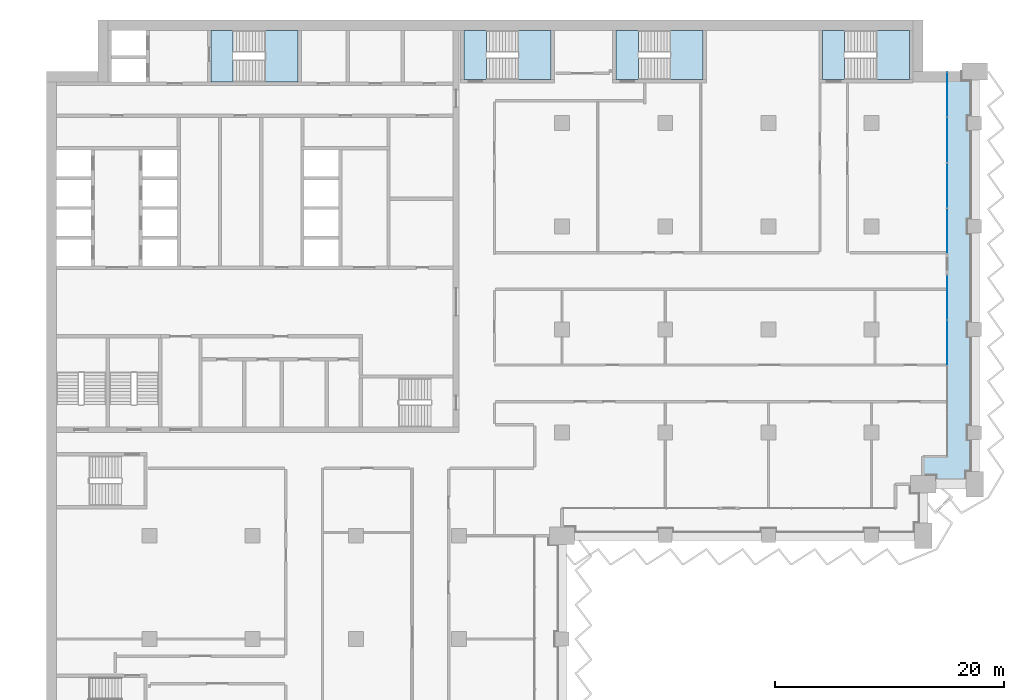
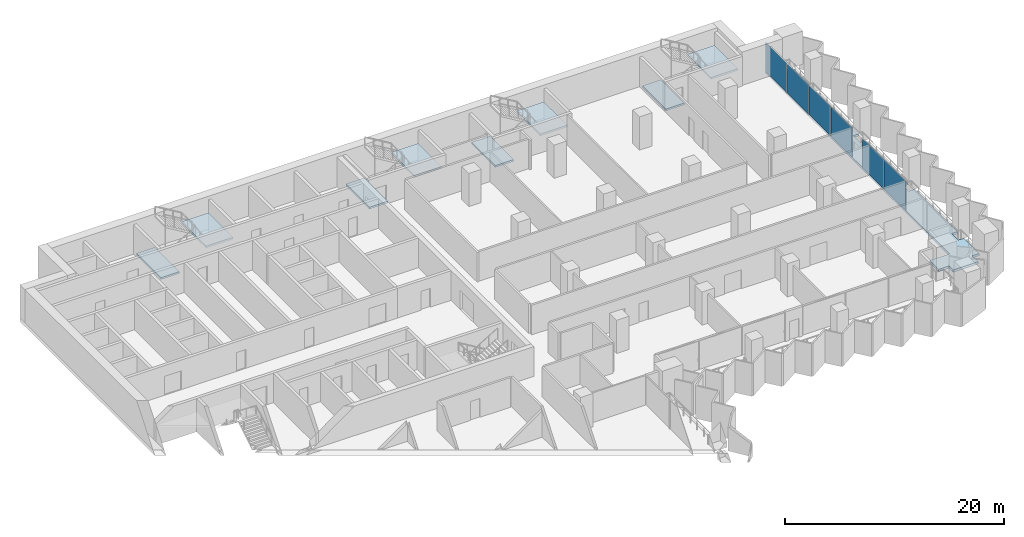
# One storey, part 8 of 23: 9 slabs, 6 plates, 6 elements without a shape of their own.
"""IFC4 building model written with IfcOpenShell, lengths in metres."""

from ifc_helpers import new_model, si_unit, direction, frame, origin, origin_2d, place, context, subcontext, project, spatial, polyline, rectangle, outline, extrude, material, layer, layer_set, type_object, element, aggregate, save


model = new_model("IFC4")

# Units and contexts
model_context = context("Model", 3, precision=1e-05, world=origin(), true_north=direction((0.0, 1.0)))
body_context = subcontext(model_context, "Body", "Model", "MODEL_VIEW")
ifc_project = project(units=[si_unit("LENGTHUNIT", "METRE"), si_unit("AREAUNIT", "SQUARE_METRE"), si_unit("VOLUMEUNIT", "CUBIC_METRE"), si_unit("PLANEANGLEUNIT", "RADIAN"), si_unit("MASSUNIT", "GRAM", prefix="KILO")], contexts=[model_context])

# Site, building, storey
site_placement = place(None, origin())
site = spatial("IfcSite", under=ifc_project, at=site_placement, CompositionType="ELEMENT")
building_placement = place(site_placement, origin())
building = spatial("IfcBuilding", under=site, at=building_placement, Name="Hunhe Ridgeline Campus", CompositionType="ELEMENT")
storey_placement = place(building_placement, frame((0.0, 0.0, 99.60009765625)))
storey = spatial("IfcBuildingStorey", under=building, at=storey_placement, Name="L24", CompositionType="ELEMENT", Elevation=99.60009765625)

# Curtain wall, plates
ifc_material_1 = material(Name="Aluminium 6063", Category="aluminium")
curtain_wall_type = type_object("IfcCurtainWallType", Name="Curtain wall CW-1", PredefinedType="NOTDEFINED", material=ifc_material_1)
curtain_wall_1_placement = place(storey_placement, origin())
curtain_wall_1 = element("IfcCurtainWall", 1, at=curtain_wall_1_placement, inside=storey, type_object=curtain_wall_type, Name="Curtain wall 14", PredefinedType="NOTDEFINED")
ifc_material_2 = material(Name="Low-e laminated glass", Category="glass")
ifc_layer_1 = layer(ifc_material_2, 0.028076171875)
ifc_layer_set_1 = layer_set([ifc_layer_1], Name="Curtain wall glass panel 28 low-e laminated")
plate_type = type_object("IfcPlateType", Name="Curtain wall glass panel 28 low-e laminated", PredefinedType="CURTAIN_PANEL", material=ifc_layer_set_1)
plate_1_placement = place(storey_placement, frame((78.59912109375, 70.838134765625, 0.0), z_axis=(0.0, 0.0, 1.0), x_axis=(0.0, 1.0, 0.0)))
plate_1 = element("IfcPlate", 2, at=plate_1_placement, type_object=plate_type, Name="CW-1 panel 3", PredefinedType="CURTAIN_PANEL", context=body_context, shape_type="SweptSolid", body=[
    extrude(rectangle(XDim=3.914794921875, YDim=0.028076171875, at=origin_2d()), origin(), (0.0, 0.0, 1.0), 3.239990234375),
])
plate_2_placement = place(storey_placement, frame((78.59912109375, 74.798095703125, 0.0), z_axis=(0.0, 0.0, 1.0), x_axis=(0.0, 1.0, 0.0)))
plate_2 = element("IfcPlate", 3, at=plate_2_placement, type_object=plate_type, Name="CW-1 panel 4", PredefinedType="CURTAIN_PANEL", context=body_context, shape_type="SweptSolid", body=[
    extrude(rectangle(XDim=3.884765625, YDim=0.028076171875, at=origin_2d()), origin(), (0.0, 0.0, 1.0), 3.239990234375),
])
aggregate(curtain_wall_1, [plate_1, plate_2])

curtain_wall_2_placement = place(storey_placement, origin())
curtain_wall_2 = element("IfcCurtainWall", 4, at=curtain_wall_2_placement, inside=storey, type_object=curtain_wall_type, Name="Curtain wall 15", PredefinedType="NOTDEFINED")
plate_3_placement = place(storey_placement, frame((78.59912109375, 80.60302734375, 0.0), z_axis=(0.0, 0.0, 1.0), x_axis=(0.0, 1.0, 0.0)))
plate_3 = element("IfcPlate", 5, at=plate_3_placement, type_object=plate_type, Name="CW-1 panel 1", PredefinedType="CURTAIN_PANEL", context=body_context, shape_type="SweptSolid", body=[
    extrude(rectangle(XDim=3.884765625, YDim=0.028076171875, at=origin_2d()), origin(), (0.0, 0.0, 1.0), 3.239990234375),
])
plate_4_placement = place(storey_placement, frame((78.59912109375, 84.562744140625, 0.0), z_axis=(0.0, 0.0, 1.0), x_axis=(0.0, 1.0, 0.0)))
plate_4 = element("IfcPlate", 6, at=plate_4_placement, type_object=plate_type, Name="CW-1 panel 2", PredefinedType="CURTAIN_PANEL", context=body_context, shape_type="SweptSolid", body=[
    extrude(rectangle(XDim=3.914794921875, YDim=0.028076171875, at=origin_2d()), origin(), (0.0, 0.0, 1.0), 3.239990234375),
])
plate_5_placement = place(storey_placement, frame((78.59912109375, 88.53759765625, 0.0), z_axis=(0.0, 0.0, 1.0), x_axis=(0.0, 1.0, 0.0)))
plate_5 = element("IfcPlate", 7, at=plate_5_placement, type_object=plate_type, Name="CW-1 panel 3", PredefinedType="CURTAIN_PANEL", context=body_context, shape_type="SweptSolid", body=[
    extrude(rectangle(XDim=3.914794921875, YDim=0.028076171875, at=origin_2d()), origin(), (0.0, 0.0, 1.0), 3.239990234375),
])
plate_6_placement = place(storey_placement, frame((78.59912109375, 92.49755859375, 0.0), z_axis=(0.0, 0.0, 1.0), x_axis=(0.0, 1.0, 0.0)))
plate_6 = element("IfcPlate", 8, at=plate_6_placement, type_object=plate_type, Name="CW-1 panel 4", PredefinedType="CURTAIN_PANEL", context=body_context, shape_type="SweptSolid", body=[
    extrude(rectangle(XDim=3.884765625, YDim=0.028076171875, at=origin_2d()), origin(), (0.0, 0.0, 1.0), 3.239990234375),
])
aggregate(curtain_wall_2, [plate_3, plate_4, plate_5, plate_6])

# Slab
ifc_material_3 = material(Name="Concrete C40", Category="concrete")
ifc_layer_2 = layer(ifc_material_3, 0.25)
ifc_layer_set_2 = layer_set([ifc_layer_2], Name="Loggia slab 250 Concrete C40")
slab_type_1 = type_object("IfcSlabType", Name="Loggia slab 250 Concrete C40", PredefinedType="FLOOR", material=ifc_layer_set_2)
slab_1_placement = place(storey_placement, frame((0.0, 0.0, -0.25)))
element("IfcSlab", 9, at=slab_1_placement, inside=storey, type_object=slab_type_1, Name="Loggia slab 3", PredefinedType="FLOOR", context=body_context, shape_type="SweptSolid", body=[
    extrude(outline(polyline([(76.5, 59.25), (77.60009765625, 59.25), (77.60009765625, 58.5), (80.25, 58.5), (80.25, 59.60009765625), (81.0, 59.60009765625), (81.0, 62.39990234375), (80.39990234375, 62.39990234375), (80.39990234375, 63.60009765625), (81.0, 63.60009765625), (81.0, 71.39990234375), (80.39990234375, 71.39990234375), (80.39990234375, 72.60009765625), (81.0, 72.60009765625), (81.0, 80.39990234375), (80.39990234375, 80.39990234375), (80.39990234375, 81.60009765625), (81.0, 81.60009765625), (81.0, 89.39990234375), (80.39990234375, 89.39990234375), (80.39990234375, 90.60009765625), (81.0, 90.60009765625), (81.0, 93.75), (79.89990234375, 93.75), (79.89990234375, 94.5), (78.60009765625, 94.5), (78.60009765625, 60.89990234375), (76.5, 60.89990234375), (76.5, 59.25)])), origin(), (0.0, 0.0, 1.0), 0.25),
])

# Stair, slab
stair_type = type_object("IfcStairType", Name="Reinforced concrete dog-leg stair 1950 Concrete C40", PredefinedType="HALF_TURN_STAIR", material=ifc_material_3)
stair_1_placement = place(storey_placement, origin())
stair_1 = element("IfcStair", 10, at=stair_1_placement, inside=storey, type_object=stair_type, Name="L24 S1", PredefinedType="HALF_TURN_STAIR")
ifc_layer_3 = layer(ifc_material_3, 0.199951171875)
ifc_layer_set_3 = layer_set([ifc_layer_3], Name="Reinforced concrete stair landing 200 Concrete C40")
slab_type_2 = type_object("IfcSlabType", Name="Reinforced concrete stair landing 200 Concrete C40", PredefinedType="LANDING", material=ifc_layer_set_3)
slab_2_placement = place(storey_placement, frame((0.0, 0.0, 1.64990234375)))
slab_2 = element("IfcSlab", 11, at=slab_2_placement, type_object=slab_type_2, Name="ST1 landing 1", PredefinedType="LANDING", context=body_context, shape_type="SweptSolid", body=[
    extrude(outline(polyline([(19.10009765625, 93.60009765625), (21.949951171875, 93.60009765625), (21.949951171875, 98.10009765625), (19.10009765625, 98.10009765625), (19.10009765625, 93.60009765625)])), origin(), (0.0, 0.0, 1.0), 0.199951171875),
])
aggregate(stair_1, [slab_2])

# Slab
slab_3_placement = place(storey_placement, frame((0.0, 0.0, -0.2001953125)))
element("IfcSlab", 12, at=slab_3_placement, inside=storey, type_object=slab_type_2, Name="L24 stair S1 floor landing", PredefinedType="LANDING", context=body_context, shape_type="SweptSolid", body=[
    extrude(outline(polyline([(14.35009765625, 93.60009765625), (16.300048828125, 93.60009765625), (16.300048828125, 98.10009765625), (14.35009765625, 98.10009765625), (14.35009765625, 93.60009765625)])), origin(), (0.0, 0.0, 1.0), 0.2001953125),
])

# Stair, slab
stair_2_placement = place(storey_placement, origin())
stair_2 = element("IfcStair", 13, at=stair_2_placement, inside=storey, type_object=stair_type, Name="L24 E1", PredefinedType="HALF_TURN_STAIR")
slab_4_placement = place(storey_placement, frame((0.0, 0.0, 1.64990234375)))
slab_4 = element("IfcSlab", 14, at=slab_4_placement, type_object=slab_type_2, Name="ST5 landing 1", PredefinedType="LANDING", context=body_context, shape_type="SweptSolid", body=[
    extrude(outline(polyline([(41.199951171875, 93.800048828125), (44.050048828125, 93.800048828125), (44.050048828125, 98.10009765625), (41.199951171875, 98.10009765625), (41.199951171875, 93.800048828125)])), origin(), (0.0, 0.0, 1.0), 0.199951171875),
])
aggregate(stair_2, [slab_4])

# Slab
slab_5_placement = place(storey_placement, frame((0.0, 0.0, -0.2001953125)))
element("IfcSlab", 15, at=slab_5_placement, inside=storey, type_object=slab_type_2, Name="L24 stair E1 floor landing", PredefinedType="LANDING", context=body_context, shape_type="SweptSolid", body=[
    extrude(outline(polyline([(36.449951171875, 93.800048828125), (38.39990234375, 93.800048828125), (38.39990234375, 98.10009765625), (36.449951171875, 98.10009765625), (36.449951171875, 93.800048828125)])), origin(), (0.0, 0.0, 1.0), 0.2001953125),
])

# Stair, slab
stair_3_placement = place(storey_placement, origin())
stair_3 = element("IfcStair", 16, at=stair_3_placement, inside=storey, type_object=stair_type, Name="L24 E2", PredefinedType="HALF_TURN_STAIR")
slab_6_placement = place(storey_placement, frame((0.0, 0.0, 1.64990234375)))
slab_6 = element("IfcSlab", 17, at=slab_6_placement, type_object=slab_type_2, Name="ST6 landing 1", PredefinedType="LANDING", context=body_context, shape_type="SweptSolid", body=[
    extrude(outline(polyline([(54.449951171875, 93.800048828125), (57.300048828125, 93.800048828125), (57.300048828125, 98.10009765625), (54.449951171875, 98.10009765625), (54.449951171875, 93.800048828125)])), origin(), (0.0, 0.0, 1.0), 0.199951171875),
])
aggregate(stair_3, [slab_6])

# Slab
slab_7_placement = place(storey_placement, frame((0.0, 0.0, -0.2001953125)))
element("IfcSlab", 18, at=slab_7_placement, inside=storey, type_object=slab_type_2, Name="L24 stair E2 floor landing", PredefinedType="LANDING", context=body_context, shape_type="SweptSolid", body=[
    extrude(outline(polyline([(49.699951171875, 93.800048828125), (51.64990234375, 93.800048828125), (51.64990234375, 98.10009765625), (49.699951171875, 98.10009765625), (49.699951171875, 93.800048828125)])), origin(), (0.0, 0.0, 1.0), 0.2001953125),
])

# Stair, slab
stair_4_placement = place(storey_placement, origin())
stair_4 = element("IfcStair", 19, at=stair_4_placement, inside=storey, type_object=stair_type, Name="L24 E3", PredefinedType="HALF_TURN_STAIR")
slab_8_placement = place(storey_placement, frame((0.0, 0.0, 1.64990234375)))
slab_8 = element("IfcSlab", 20, at=slab_8_placement, type_object=slab_type_2, Name="ST7 landing 1", PredefinedType="LANDING", context=body_context, shape_type="SweptSolid", body=[
    extrude(outline(polyline([(72.449951171875, 93.800048828125), (75.300048828125, 93.800048828125), (75.300048828125, 98.10009765625), (72.449951171875, 98.10009765625), (72.449951171875, 93.800048828125)])), origin(), (0.0, 0.0, 1.0), 0.199951171875),
])
aggregate(stair_4, [slab_8])

# Slab
slab_9_placement = place(storey_placement, frame((0.0, 0.0, -0.2001953125)))
element("IfcSlab", 21, at=slab_9_placement, inside=storey, type_object=slab_type_2, Name="L24 stair E3 floor landing", PredefinedType="LANDING", context=body_context, shape_type="SweptSolid", body=[
    extrude(outline(polyline([(67.699951171875, 93.800048828125), (69.64990234375, 93.800048828125), (69.64990234375, 98.10009765625), (67.699951171875, 98.10009765625), (67.699951171875, 93.800048828125)])), origin(), (0.0, 0.0, 1.0), 0.2001953125),
])

save(model, "model.ifc")
